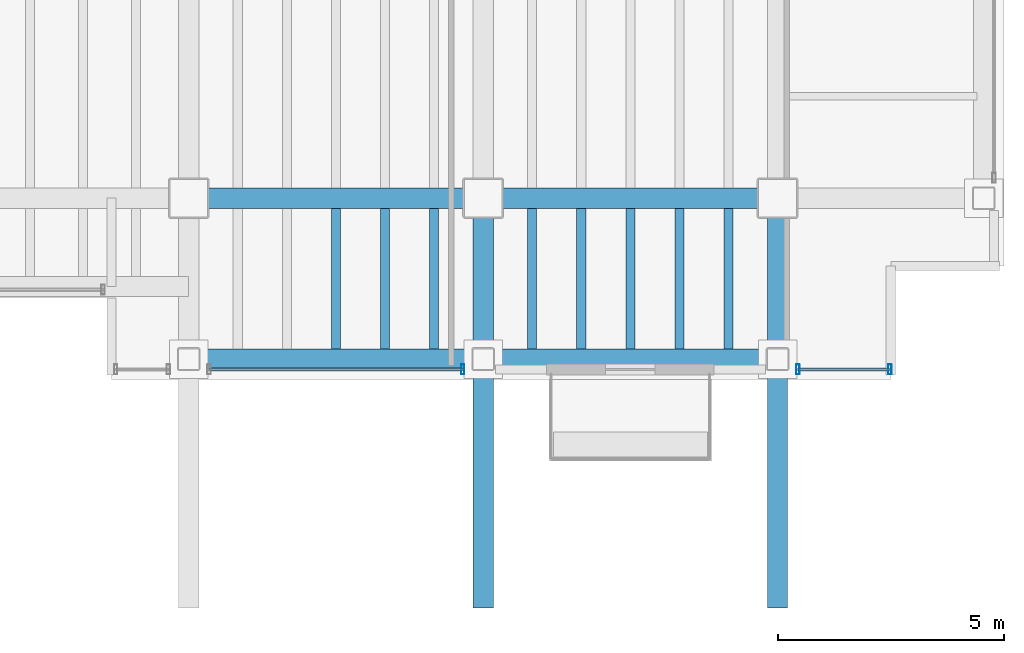
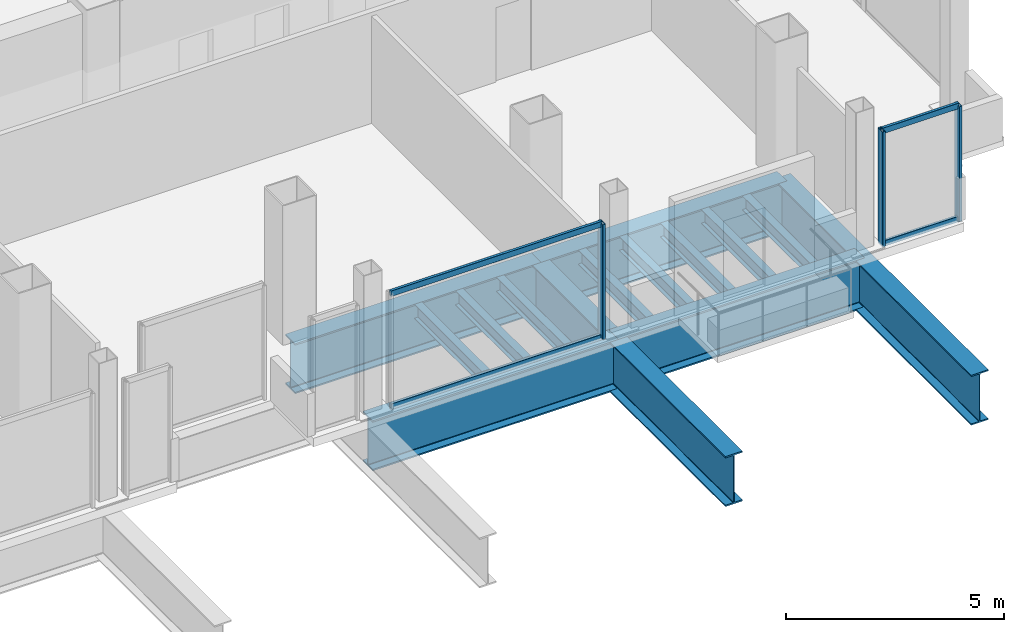
# One storey, part 13 of 24: 14 beams, 7 members, 2 elements without a shape of their own.
"""IFC4 building model written with IfcOpenShell, lengths in metres."""

from ifc_helpers import new_model, si_unit, direction, frame, origin, origin_2d, place, context, subcontext, project, spatial, hollow_rectangle, i_section, extrude, material, material_profile, profile_set, type_object, element, aggregate, save


model = new_model("IFC4")

# Units and contexts
model_context = context("Model", 3, precision=1e-05, world=origin(), true_north=direction((0.0, 1.0)))
body_context = subcontext(model_context, "Body", "Model", "MODEL_VIEW")
ifc_project = project(units=[si_unit("LENGTHUNIT", "METRE"), si_unit("AREAUNIT", "SQUARE_METRE"), si_unit("VOLUMEUNIT", "CUBIC_METRE"), si_unit("PLANEANGLEUNIT", "RADIAN"), si_unit("MASSUNIT", "GRAM", prefix="KILO")], contexts=[model_context])

# Site, building, storey
site_placement = place(None, origin())
site = spatial("IfcSite", under=ifc_project, at=site_placement, CompositionType="ELEMENT")
building_placement = place(site_placement, origin())
building = spatial("IfcBuilding", under=site, at=building_placement, Name="Noeulbin Bourse Tower", CompositionType="ELEMENT")
storey_placement = place(building_placement, frame((0.0, 0.0, 142.199951171875)))
storey = spatial("IfcBuildingStorey", under=building, at=storey_placement, Name="L35", CompositionType="ELEMENT", Elevation=142.199951171875)

# Beams
ifc_material_1 = material(Name="Steel S355", Category="steel")
ifc_material_profile_1 = material_profile(ifc_material_1, i_section(OverallWidth=0.199951171875, OverallDepth=0.39990234375, WebThickness=0.008056640625, FlangeThickness=0.012939453125, FilletRadius=0.01611328125, at=origin_2d()), Name="H-400x200x8x13", Category="LoadBearing")
ifc_profile_set_1 = profile_set([ifc_material_profile_1], Name="Steel S355")
beam_type_1 = type_object("IfcBeamType", Name="BM-SEC-400", PredefinedType="BEAM", material=ifc_profile_set_1)
for number, where, z_axis, x_axis, name in (
    (1, (34.25, 16.675048828125, -0.43994140625), (0.0, 1.0, 0.0), (-1.0, 0.0, 0.0), "Tower Composite Joist L35-46"),
    (2, (35.333251953125, 16.675048828125, -0.43994140625), (0.0, 1.0, 0.0), (-1.0, 0.0, 0.0), "Tower Composite Joist L35-49"),
    (3, (36.416748046875, 16.675048828125, -0.43994140625), (0.0, 1.0, 0.0), (-1.0, 0.0, 0.0), "Tower Composite Joist L35-52"),
    (4, (38.583251953125, 16.675048828125, -0.43994140625), (0.0, 1.0, 0.0), (-1.0, 0.0, 0.0), "Tower Composite Joist L35-55"),
    (5, (39.666748046875, 16.675048828125, -0.43994140625), (0.0, 1.0, 0.0), (-1.0, 0.0, 0.0), "Tower Composite Joist L35-58"),
    (6, (40.75, 16.675048828125, -0.43994140625), (0.0, 1.0, 0.0), (-1.0, 0.0, 0.0), "Tower Composite Joist L35-61"),
    (7, (41.833251953125, 16.675048828125, -0.43994140625), (0.0, 1.0, 0.0), (-1.0, 0.0, 0.0), "Tower Composite Joist L35-64"),
    (8, (42.916748046875, 16.675048828125, -0.43994140625), (0.0, 1.0, 0.0), (-1.0, 0.0, 0.0), "Tower Composite Joist L35-67"),
):
    element("IfcBeam", number, at=place(storey_placement, frame(where, z_axis=z_axis, x_axis=x_axis)), inside=storey, type_object=beam_type_1, Name=name, PredefinedType="BEAM", context=body_context, shape_type="SweptSolid", body=[
        extrude(i_section(OverallWidth=0.199951171875, OverallDepth=0.39990234375, WebThickness=0.008056640625, FlangeThickness=0.012939453125, FilletRadius=0.01611328125, at=origin_2d()), origin(), (0.0, 0.0, 1.0), 3.099853515625),
    ])
ifc_material_2 = material(Name="Steel S460", Category="steel")
ifc_material_profile_2 = material_profile(ifc_material_2, i_section(OverallWidth=0.449951171875, OverallDepth=1.39990234375, WebThickness=0.02392578125, FlangeThickness=0.0400390625, FilletRadius=0.02392578125, at=origin_2d()), Name="PG-1400x450x24x40", Category="LoadBearing")
ifc_profile_set_2 = profile_set([ifc_material_profile_2], Name="Steel S460")
beam_type_2 = type_object("IfcBeamType", Name="BM-TRF-1400", PredefinedType="USERDEFINED", material=ifc_profile_set_2)
for number, where, z_axis, x_axis, name in (
    (9, (31.0, 20.0, -0.93994140625), (1.0, 0.0, 0.0), (0.0, 1.0, 0.0), "Tower Primary Girder EW L35-1.4"),
    (10, (37.5, 20.0, -0.93994140625), (1.0, 0.0, 0.0), (0.0, 1.0, 0.0), "Tower Primary Girder EW L35-1.5"),
):
    element("IfcBeam", number, at=place(storey_placement, frame(where, z_axis=z_axis, x_axis=x_axis)), inside=storey, type_object=beam_type_2, Name=name, ObjectType="GIRDER", PredefinedType="USERDEFINED", context=body_context, shape_type="SweptSolid", body=[
        extrude(i_section(OverallWidth=0.449951171875, OverallDepth=1.39990234375, WebThickness=0.02392578125, FlangeThickness=0.0400390625, FilletRadius=0.02392578125, at=origin_2d()), origin(), (0.0, 0.0, 1.0), 6.5),
    ])
for number, where, z_axis, x_axis, name in (
    (11, (37.5, 10.949951171875, -0.93994140625), (0.0, 1.0, 0.0), (-1.0, 0.0, 0.0), "Tower Primary Girder NS L35-4.1"),
    (12, (44.0, 10.949951171875, -0.93994140625), (0.0, 1.0, 0.0), (-1.0, 0.0, 0.0), "Tower Primary Girder NS L35-5.1"),
):
    element("IfcBeam", number, at=place(storey_placement, frame(where, z_axis=z_axis, x_axis=x_axis)), inside=storey, type_object=beam_type_2, Name=name, ObjectType="GIRDER", PredefinedType="USERDEFINED", context=body_context, shape_type="SweptSolid", body=[
        extrude(i_section(OverallWidth=0.449951171875, OverallDepth=1.39990234375, WebThickness=0.02392578125, FlangeThickness=0.0400390625, FilletRadius=0.02392578125, at=origin_2d()), origin(), (0.0, 0.0, 1.0), 9.050048828125),
    ])
for number, where, z_axis, x_axis, name in (
    (13, (31.0, 16.449951171875, -0.93994140625), (1.0, 0.0, 0.0), (0.0, 1.0, 0.0), "South Spandrel L35-3"),
    (14, (37.5, 16.449951171875, -0.93994140625), (1.0, 0.0, 0.0), (0.0, 1.0, 0.0), "South Spandrel L35-4"),
):
    element("IfcBeam", number, at=place(storey_placement, frame(where, z_axis=z_axis, x_axis=x_axis)), inside=storey, type_object=beam_type_2, Name=name, ObjectType="GIRDER", PredefinedType="USERDEFINED", context=body_context, shape_type="SweptSolid", body=[
        extrude(i_section(OverallWidth=0.449951171875, OverallDepth=1.39990234375, WebThickness=0.02392578125, FlangeThickness=0.0400390625, FilletRadius=0.02392578125, at=origin_2d()), origin(), (0.0, 0.0, 1.0), 6.5),
    ])

# Curtain wall, member
ifc_material_3 = material(Name="Dark Tinted Triple Glazing", Category="glass")
curtain_wall_type = type_object("IfcCurtainWallType", Name="CW-SYS-3", PredefinedType="NOTDEFINED", material=ifc_material_3)
curtain_wall_1_placement = place(storey_placement, origin())
curtain_wall_1 = element("IfcCurtainWall", 15, at=curtain_wall_1_placement, inside=storey, type_object=curtain_wall_type, Name="Unitised Curtain Wall CW-L35-S2-S2", PredefinedType="NOTDEFINED")
ifc_material_4 = material(Name="Anodised Aluminium 6063-T6", Category="aluminium")
ifc_material_profile_3 = material_profile(ifc_material_4, hollow_rectangle(XDim=0.074951171875, YDim=0.219970703125, WallThickness=0.0048828125, InnerFilletRadius=0.00244140625, OuterFilletRadius=0.0048828125, at=origin_2d()), Name="ALU-MULL-75x220x5", Category="LoadBearing")
ifc_profile_set_3 = profile_set([ifc_material_profile_3], Name="Anodised Aluminium 6063-T6")
member_type_1 = type_object("IfcMemberType", Name="CW-SYS-3-MUL", PredefinedType="MULLION", material=ifc_profile_set_3)
member_1_placement = place(storey_placement, frame((37.050048828125, 16.219970703125, -0.02001953125), z_axis=(0.0, 0.0, 1.0), x_axis=(1.0, 0.0, 0.0)))
member_1 = element("IfcMember", 16, at=member_1_placement, type_object=member_type_1, Name="Curtain Wall Mullion CW-L35-S2-S2-M01", PredefinedType="MULLION", context=body_context, shape_type="SweptSolid", body=[
    extrude(hollow_rectangle(XDim=0.074951171875, YDim=0.219970703125, WallThickness=0.0048828125, InnerFilletRadius=0.00244140625, OuterFilletRadius=0.0048828125, at=origin_2d()), origin(), (0.0, 0.0, 1.0), 3.219970703125),
])

# Curtain wall, members
curtain_wall_2_placement = place(storey_placement, origin())
curtain_wall_2 = element("IfcCurtainWall", 17, at=curtain_wall_2_placement, inside=storey, type_object=curtain_wall_type, Name="Unitised Curtain Wall CW-L35-S3", PredefinedType="NOTDEFINED")
member_2_placement = place(storey_placement, frame((44.449951171875, 16.219970703125, -0.02001953125), z_axis=(0.0, 0.0, 1.0), x_axis=(1.0, 0.0, 0.0)))
member_2 = element("IfcMember", 18, at=member_2_placement, type_object=member_type_1, Name="Curtain Wall Mullion CW-L35-S3-M00", PredefinedType="MULLION", context=body_context, shape_type="SweptSolid", body=[
    extrude(hollow_rectangle(XDim=0.074951171875, YDim=0.219970703125, WallThickness=0.0048828125, InnerFilletRadius=0.00244140625, OuterFilletRadius=0.0048828125, at=origin_2d()), origin(), (0.0, 0.0, 1.0), 3.219970703125),
])
member_3_placement = place(storey_placement, frame((46.47998046875, 16.219970703125, -0.02001953125), z_axis=(0.0, 0.0, 1.0), x_axis=(1.0, 0.0, 0.0)))
member_3 = element("IfcMember", 19, at=member_3_placement, type_object=member_type_1, Name="Curtain Wall Mullion CW-L35-S3-M01", PredefinedType="MULLION", context=body_context, shape_type="SweptSolid", body=[
    extrude(hollow_rectangle(XDim=0.074951171875, YDim=0.219970703125, WallThickness=0.0048828125, InnerFilletRadius=0.00244140625, OuterFilletRadius=0.0048828125, at=origin_2d()), origin(), (0.0, 0.0, 1.0), 3.219970703125),
])

# Member
ifc_material_profile_4 = material_profile(ifc_material_4, hollow_rectangle(XDim=0.074951171875, YDim=0.159912109375, WallThickness=0.0048828125, InnerFilletRadius=0.00244140625, OuterFilletRadius=0.0048828125, at=origin_2d()), Name="ALU-TRAN-75x160x5", Category="LoadBearing")
ifc_profile_set_4 = profile_set([ifc_material_profile_4], Name="Anodised Aluminium 6063-T6")
member_type_2 = type_object("IfcMemberType", Name="CW-SYS-3-TRN", PredefinedType="USERDEFINED", material=ifc_profile_set_4)
member_4_placement = place(storey_placement, frame((31.4599609375, 16.219970703125, 0.010009765625), z_axis=(1.0, 0.0, 0.0), x_axis=(0.0, 1.0, 0.0)))
member_4 = element("IfcMember", 20, at=member_4_placement, type_object=member_type_2, Name="Curtain Wall Transom CW-L35-S2-S2-T00", ObjectType="TRANSOM", PredefinedType="USERDEFINED", context=body_context, shape_type="SweptSolid", body=[
    extrude(hollow_rectangle(XDim=0.074951171875, YDim=0.159912109375, WallThickness=0.0048828125, InnerFilletRadius=0.00244140625, OuterFilletRadius=0.0048828125, at=origin_2d()), origin(), (0.0, 0.0, 1.0), 5.580078125),
])

member_5_placement = place(storey_placement, frame((31.4599609375, 16.219970703125, 3.170166015625), z_axis=(1.0, 0.0, 0.0), x_axis=(0.0, 1.0, 0.0)))
member_5 = element("IfcMember", 21, at=member_5_placement, type_object=member_type_2, Name="Curtain Wall Transom CW-L35-S2-S2-T01", ObjectType="TRANSOM", PredefinedType="USERDEFINED", context=body_context, shape_type="SweptSolid", body=[
    extrude(hollow_rectangle(XDim=0.074951171875, YDim=0.159912109375, WallThickness=0.0048828125, InnerFilletRadius=0.00244140625, OuterFilletRadius=0.0048828125, at=origin_2d()), origin(), (0.0, 0.0, 1.0), 5.580078125),
])

aggregate(curtain_wall_1, [member_1, member_4, member_5])

member_6_placement = place(storey_placement, frame((44.4599609375, 16.219970703125, 0.010009765625), z_axis=(1.0, 0.0, 0.0), x_axis=(0.0, 1.0, 0.0)))
member_6 = element("IfcMember", 22, at=member_6_placement, type_object=member_type_2, Name="Curtain Wall Transom CW-L35-S3-T00", ObjectType="TRANSOM", PredefinedType="USERDEFINED", context=body_context, shape_type="SweptSolid", body=[
    extrude(hollow_rectangle(XDim=0.074951171875, YDim=0.159912109375, WallThickness=0.0048828125, InnerFilletRadius=0.00244140625, OuterFilletRadius=0.0048828125, at=origin_2d()), origin(), (0.0, 0.0, 1.0), 2.010009765625),
])

member_7_placement = place(storey_placement, frame((44.4599609375, 16.219970703125, 3.170166015625), z_axis=(1.0, 0.0, 0.0), x_axis=(0.0, 1.0, 0.0)))
member_7 = element("IfcMember", 23, at=member_7_placement, type_object=member_type_2, Name="Curtain Wall Transom CW-L35-S3-T01", ObjectType="TRANSOM", PredefinedType="USERDEFINED", context=body_context, shape_type="SweptSolid", body=[
    extrude(hollow_rectangle(XDim=0.074951171875, YDim=0.159912109375, WallThickness=0.0048828125, InnerFilletRadius=0.00244140625, OuterFilletRadius=0.0048828125, at=origin_2d()), origin(), (0.0, 0.0, 1.0), 2.010009765625),
])

aggregate(curtain_wall_2, [member_2, member_3, member_6, member_7])

save(model, "model.ifc")
